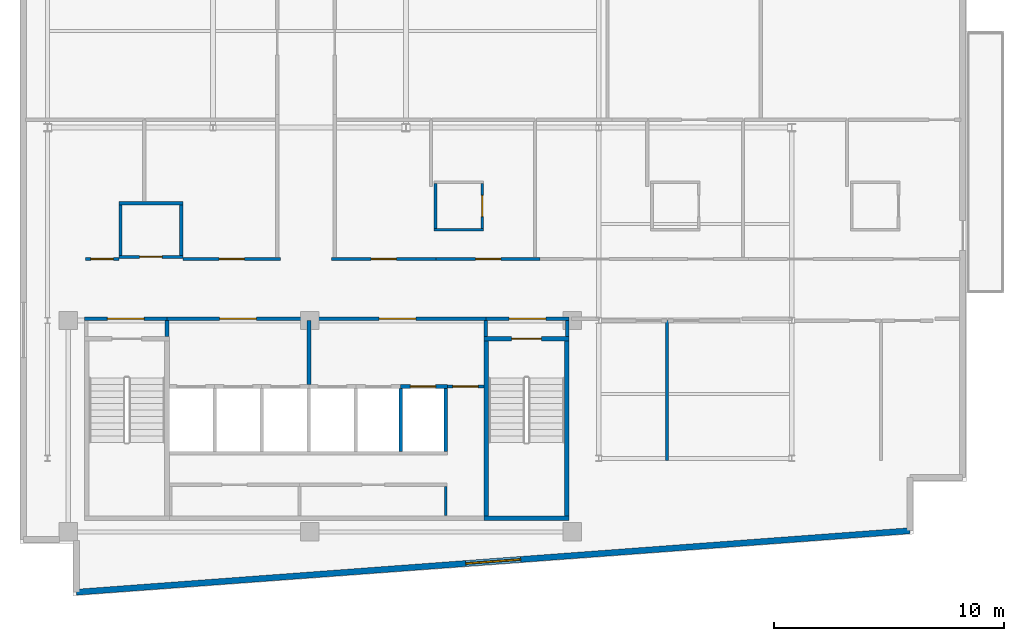
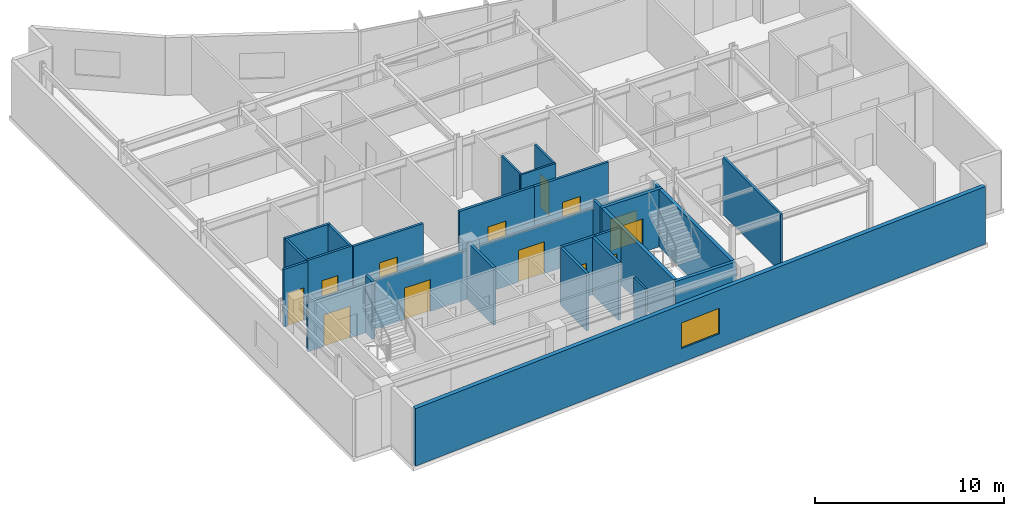
# One storey, part 10 of 15: 30 walls, 13 doors, 1 window, 14 openings.
"""IFC4 building model written with IfcOpenShell, lengths in metres."""

from ifc_helpers import new_model, si_unit, direction, frame, frame_2d, origin, place, context, subcontext, project, spatial, rectangle, extrude, material, layer, layer_set, type_object, element, fill, save


model = new_model("IFC4")

# Units and contexts
model_context = context("Model", 3, precision=1e-05, world=origin(), true_north=direction((0.0, 1.0)))
body_context = subcontext(model_context, "Body", "Model", "MODEL_VIEW")
ifc_project = project(units=[si_unit("LENGTHUNIT", "METRE"), si_unit("AREAUNIT", "SQUARE_METRE"), si_unit("VOLUMEUNIT", "CUBIC_METRE"), si_unit("PLANEANGLEUNIT", "RADIAN"), si_unit("MASSUNIT", "GRAM", prefix="KILO")], contexts=[model_context])

# Site, building, storey
site_placement = place(None, origin())
site = spatial("IfcSite", under=ifc_project, at=site_placement, CompositionType="ELEMENT")
building_placement = place(site_placement, origin())
building = spatial("IfcBuilding", under=site, at=building_placement, Name="Varnakote Quay Hospital", CompositionType="ELEMENT")
storey_placement = place(building_placement, frame((0.0, 0.0, 276.300048828125)))
storey = spatial("IfcBuildingStorey", under=building, at=storey_placement, Name="L68", CompositionType="ELEMENT", Elevation=276.300048828125)

# Wall, opening, door
ifc_material_1 = material(Name="Fire-rated acoustic gypsum stud wall", Category="gypsum")
ifc_layer_1 = layer(ifc_material_1, 0.159912109375)
ifc_layer_set_1 = layer_set([ifc_layer_1], Name="Fire-rated acoustic gypsum stud wall")
wall_type_1 = type_object("IfcWallType", Name="WL-COMP-160", PredefinedType="PARTITIONING", material=ifc_layer_set_1)
wall_1_placement = place(storey_placement, frame((2.800048828125, 12.080078125, 0.0), z_axis=(0.0, 0.0, 1.0), x_axis=(1.0, 0.0, 0.0)))
wall_1 = element("IfcWall", 1, at=wall_1_placement, inside=storey, type_object=wall_type_1, Name="L68 West Stair Vestibule Smoke Wall", PredefinedType="PARTITIONING", context=body_context, shape_type="SweptSolid", body=[
    extrude(rectangle(XDim=3.599853515625, YDim=0.159912109375, at=frame_2d((1.7998046875, 0.0))), origin(), (0.0, 0.0, 1.0), 3.156982421875),
])
opening_1_placement = place(wall_1_placement, frame((1.0, 0.0, 0.0)))
opening_1 = element("IfcOpeningElement", 2, at=opening_1_placement, cuts=wall_1, Name="Opening D-ST1L-L68", PredefinedType="OPENING", context=body_context, shape_type="SweptSolid", body=[
    extrude(rectangle(XDim=1.60009765625, YDim=2.050048828125, at=frame_2d((0.800048828125, 1.02490234375))), frame((0.0, 0.08984375, 0.0), z_axis=(0.0, -1.0, 0.0), x_axis=(1.0, 0.0, 0.0)), (0.0, 0.0, 1.0), 0.179931640625),
])
ifc_material_2 = material(Name="Fire-rated double smoke lobby door")
door_type_1 = type_object("IfcDoorType", Name="DR-LOBBY-FD60S-1600x2150", OperationType="NOTDEFINED", PredefinedType="DOOR", material=ifc_material_2)
door_1_placement = place(opening_1_placement, origin())
door_1 = element("IfcDoor", 3, at=door_1_placement, inside=storey, type_object=door_type_1, Name="L68 West Stair Vestibule Smoke Door", OperationType="DOUBLE_DOOR_SINGLE_SWING", OverallHeight=2.050048828125, OverallWidth=1.60009765625, PredefinedType="DOOR", context=body_context, shape_type="SweptSolid", body=[
    extrude(rectangle(XDim=1.60009765625, YDim=2.050048828125, at=frame_2d((0.800048828125, 1.02490234375))), frame((0.0, 0.02490234375, 0.0), z_axis=(0.0, -1.0, 0.0), x_axis=(1.0, 0.0, 0.0)), (0.0, 0.0, 1.0), 0.050048828125),
])
fill(opening_1, door_1)

# Wall
wall_2_placement = place(storey_placement, frame((6.39990234375, 11.300048828125, 0.0), z_axis=(0.0, 0.0, 1.0), x_axis=(0.0, 1.0, 0.0)))
element("IfcWall", 4, at=wall_2_placement, inside=storey, type_object=wall_type_1, Name="L68 Firefighting Lobby West Wall", PredefinedType="PARTITIONING", context=body_context, shape_type="SweptSolid", body=[
    extrude(rectangle(XDim=0.699951171875, YDim=0.159912109375, at=frame_2d((0.35009765625, 0.0))), origin(), (0.0, 0.0, 1.0), 3.7099609375),
])

# Wall, opening, door
wall_3_placement = place(storey_placement, frame((6.39990234375, 12.080078125, 0.0), z_axis=(0.0, 0.0, 1.0), x_axis=(1.0, 0.0, 0.0)))
wall_3 = element("IfcWall", 5, at=wall_3_placement, inside=storey, type_object=wall_type_1, Name="L68 Firefighting Lift Lobby Compartment Wall", PredefinedType="PARTITIONING", context=body_context, shape_type="SweptSolid", body=[
    extrude(rectangle(XDim=6.18017578125, YDim=0.159912109375, at=frame_2d((3.090087890625, 0.0))), origin(), (0.0, 0.0, 1.0), 3.156982421875),
])
opening_2_placement = place(wall_3_placement, frame((2.2900390625, 0.0, 0.0)))
opening_2 = element("IfcOpeningElement", 6, at=opening_2_placement, cuts=wall_3, Name="Opening D-FFL-L68", PredefinedType="OPENING", context=body_context, shape_type="SweptSolid", body=[
    extrude(rectangle(XDim=1.60009765625, YDim=2.050048828125, at=frame_2d((0.800048828125, 1.02490234375))), frame((0.0, 0.08984375, 0.0), z_axis=(0.0, -1.0, 0.0), x_axis=(1.0, 0.0, 0.0)), (0.0, 0.0, 1.0), 0.179931640625),
])
door_2_placement = place(opening_2_placement, origin())
door_2 = element("IfcDoor", 7, at=door_2_placement, inside=storey, type_object=door_type_1, Name="L68 Firefighting Smoke Vestibule Door", OperationType="DOUBLE_DOOR_SINGLE_SWING", OverallHeight=2.050048828125, OverallWidth=1.60009765625, PredefinedType="DOOR", context=body_context, shape_type="SweptSolid", body=[
    extrude(rectangle(XDim=1.60009765625, YDim=2.050048828125, at=frame_2d((0.800048828125, 1.02490234375))), frame((0.0, 0.02490234375, 0.0), z_axis=(0.0, -1.0, 0.0), x_axis=(1.0, 0.0, 0.0)), (0.0, 0.0, 1.0), 0.050048828125),
])
fill(opening_2, door_2)

# Wall
wall_4_placement = place(storey_placement, frame((12.580078125, 9.2099609375, 0.0), z_axis=(0.0, 0.0, 1.0), x_axis=(0.0, 1.0, 0.0)))
element("IfcWall", 8, at=wall_4_placement, inside=storey, type_object=wall_type_1, Name="L68 Firefighting to Service Lobby Wall", PredefinedType="PARTITIONING", context=body_context, shape_type="SweptSolid", body=[
    extrude(rectangle(XDim=2.7900390625, YDim=0.159912109375, at=frame_2d((1.39501953125, 0.0))), origin(), (0.0, 0.0, 1.0), 3.7099609375),
])

# Wall, opening, door
wall_5_placement = place(storey_placement, frame((12.580078125, 12.080078125, 0.0), z_axis=(0.0, 0.0, 1.0), x_axis=(1.0, 0.0, 0.0)))
wall_5 = element("IfcWall", 9, at=wall_5_placement, inside=storey, type_object=wall_type_1, Name="L68 Clinical Bed Lift Lobby Wall", PredefinedType="PARTITIONING", context=body_context, shape_type="SweptSolid", body=[
    extrude(rectangle(XDim=7.699951171875, YDim=0.159912109375, at=frame_2d((3.85009765625, 0.0))), origin(), (0.0, 0.0, 1.0), 3.156982421875),
])
opening_3_placement = place(wall_5_placement, frame((3.050048828125, 0.0, 0.0)))
opening_3 = element("IfcOpeningElement", 10, at=opening_3_placement, cuts=wall_5, Name="Opening D-SVL-L68", PredefinedType="OPENING", context=body_context, shape_type="SweptSolid", body=[
    extrude(rectangle(XDim=1.60009765625, YDim=2.050048828125, at=frame_2d((0.800048828125, 1.02490234375))), frame((0.0, 0.08984375, 0.0), z_axis=(0.0, -1.0, 0.0), x_axis=(1.0, 0.0, 0.0)), (0.0, 0.0, 1.0), 0.179931640625),
])
door_3_placement = place(opening_3_placement, origin())
door_3 = element("IfcDoor", 11, at=door_3_placement, inside=storey, type_object=door_type_1, Name="L68 Clinical Core Smoke Vestibule Door", OperationType="DOUBLE_DOOR_SINGLE_SWING", OverallHeight=2.050048828125, OverallWidth=1.60009765625, PredefinedType="DOOR", context=body_context, shape_type="SweptSolid", body=[
    extrude(rectangle(XDim=1.60009765625, YDim=2.050048828125, at=frame_2d((0.800048828125, 1.02490234375))), frame((0.0, 0.02490234375, 0.0), z_axis=(0.0, -1.0, 0.0), x_axis=(1.0, 0.0, 0.0)), (0.0, 0.0, 1.0), 0.050048828125),
])
fill(opening_3, door_3)

# Wall
wall_6_placement = place(storey_placement, frame((20.280029296875, 11.300048828125, 0.0), z_axis=(0.0, 0.0, 1.0), x_axis=(0.0, 1.0, 0.0)))
element("IfcWall", 12, at=wall_6_placement, inside=storey, type_object=wall_type_1, Name="L68 East Stair Vestibule Divider Wall", PredefinedType="PARTITIONING", context=body_context, shape_type="SweptSolid", body=[
    extrude(rectangle(XDim=0.699951171875, YDim=0.159912109375, at=frame_2d((0.35009765625, 0.0))), origin(), (0.0, 0.0, 1.0), 3.7099609375),
])

# Wall, opening, door
wall_7_placement = place(storey_placement, frame((20.280029296875, 12.080078125, 0.0), z_axis=(0.0, 0.0, 1.0), x_axis=(1.0, 0.0, 0.0)))
wall_7 = element("IfcWall", 13, at=wall_7_placement, inside=storey, type_object=wall_type_1, Name="L68 East Stair Vestibule Smoke Wall", PredefinedType="PARTITIONING", context=body_context, shape_type="SweptSolid", body=[
    extrude(rectangle(XDim=3.619873046875, YDim=0.159912109375, at=frame_2d((1.81005859375, 0.0))), origin(), (0.0, 0.0, 1.0), 3.156982421875),
])
opening_4_placement = place(wall_7_placement, frame((1.010009765625, 0.0, 0.0)))
opening_4 = element("IfcOpeningElement", 14, at=opening_4_placement, cuts=wall_7, Name="Opening D-ST2L-L68", PredefinedType="OPENING", context=body_context, shape_type="SweptSolid", body=[
    extrude(rectangle(XDim=1.60009765625, YDim=2.050048828125, at=frame_2d((0.800048828125, 1.02490234375))), frame((0.0, 0.08984375, 0.0), z_axis=(0.0, -1.0, 0.0), x_axis=(1.0, 0.0, 0.0)), (0.0, 0.0, 1.0), 0.179931640625),
])
door_4_placement = place(opening_4_placement, origin())
door_4 = element("IfcDoor", 15, at=door_4_placement, inside=storey, type_object=door_type_1, Name="L68 East Stair Vestibule Smoke Door", OperationType="DOUBLE_DOOR_SINGLE_SWING", OverallHeight=2.050048828125, OverallWidth=1.60009765625, PredefinedType="DOOR", context=body_context, shape_type="SweptSolid", body=[
    extrude(rectangle(XDim=1.60009765625, YDim=2.050048828125, at=frame_2d((0.800048828125, 1.02490234375))), frame((0.0, 0.02490234375, 0.0), z_axis=(0.0, -1.0, 0.0), x_axis=(1.0, 0.0, 0.0)), (0.0, 0.0, 1.0), 0.050048828125),
])
fill(opening_4, door_4)

# Walls
wall_8_placement = place(storey_placement, frame((23.820068359375, 11.300048828125, 0.0), z_axis=(0.0, 0.0, 1.0), x_axis=(0.0, 1.0, 0.0)))
element("IfcWall", 16, at=wall_8_placement, inside=storey, type_object=wall_type_1, Name="L68 East Stair Vestibule East Wall", PredefinedType="PARTITIONING", context=body_context, shape_type="SweptSolid", body=[
    extrude(rectangle(XDim=0.699951171875, YDim=0.159912109375, at=frame_2d((0.35009765625, 0.0))), origin(), (0.0, 0.0, 1.0), 3.7099609375),
])
ifc_material_3 = material(Name="Moisture-resistant bathroom partition", Category="gypsum")
ifc_layer_2 = layer(ifc_material_3, 0.114990234375)
ifc_layer_set_2 = layer_set([ifc_layer_2], Name="Moisture-resistant bathroom partition")
wall_type_2 = type_object("IfcWallType", Name="WL-ENS-115", PredefinedType="PARTITIONING", material=ifc_layer_set_2)
wall_9_placement = place(storey_placement, frame((18.034912109375, 15.952392578125, 0.0), z_axis=(0.0, 0.0, 1.0), x_axis=(1.0, 0.0, 0.0)))
element("IfcWall", 17, at=wall_9_placement, inside=storey, type_object=wall_type_2, Name="L68 Inpatient En-Suite Bathroom 01 S Wall", PredefinedType="PARTITIONING", context=body_context, shape_type="SweptSolid", body=[
    extrude(rectangle(XDim=2.150146484375, YDim=0.114990234375, at=frame_2d((1.0751953125, 0.0))), origin(), (0.0, 0.0, 1.0), 3.7099609375),
])
wall_10_placement = place(storey_placement, frame((18.092529296875, 16.010009765625, 0.0), z_axis=(0.0, 0.0, 1.0), x_axis=(0.0, 1.0, 0.0)))
element("IfcWall", 18, at=wall_10_placement, inside=storey, type_object=wall_type_2, Name="L68 Inpatient En-Suite Bathroom 01 W Wall", PredefinedType="PARTITIONING", context=body_context, shape_type="SweptSolid", body=[
    extrude(rectangle(XDim=1.949951171875, YDim=0.114990234375, at=frame_2d((0.97509765625, 0.0))), origin(), (0.0, 0.0, 1.0), 3.7099609375),
])

# Wall, opening, door
wall_11_placement = place(storey_placement, frame((20.12744140625, 16.010009765625, 0.0), z_axis=(0.0, 0.0, 1.0), x_axis=(0.0, 1.0, 0.0)))
wall_11 = element("IfcWall", 19, at=wall_11_placement, inside=storey, type_object=wall_type_2, Name="L68 Inpatient En-Suite Bathroom 01 E Wall", PredefinedType="PARTITIONING", context=body_context, shape_type="SweptSolid", body=[
    extrude(rectangle(XDim=1.949951171875, YDim=0.114990234375, at=frame_2d((0.97509765625, 0.0))), origin(), (0.0, 0.0, 1.0), 3.7099609375),
])
opening_5_placement = place(wall_11_placement, frame((0.514892578125, 0.0, 0.0)))
opening_5 = element("IfcOpeningElement", 20, at=opening_5_placement, cuts=wall_11, Name="Opening D-L68-ENS01", PredefinedType="OPENING", context=body_context, shape_type="SweptSolid", body=[
    extrude(rectangle(XDim=0.919921875, YDim=2.10009765625, at=frame_2d((0.4599609375, 1.050048828125))), frame((0.0, 0.0673828125, 0.0), z_axis=(0.0, -1.0, 0.0), x_axis=(1.0, 0.0, 0.0)), (0.0, 0.0, 1.0), 0.135009765625),
])
ifc_material_4 = material(Name="Moisture-sealed en-suite bathroom door")
door_type_2 = type_object("IfcDoorType", Name="DR-ENS-920x2100", OperationType="NOTDEFINED", PredefinedType="DOOR", material=ifc_material_4)
door_5_placement = place(opening_5_placement, origin())
door_5 = element("IfcDoor", 21, at=door_5_placement, inside=storey, type_object=door_type_2, Name="L68 Inpatient En-Suite Bathroom 01 Door", OperationType="SINGLE_SWING_LEFT", OverallHeight=2.10009765625, OverallWidth=0.919921875, PredefinedType="DOOR", context=body_context, shape_type="SweptSolid", body=[
    extrude(rectangle(XDim=0.919921875, YDim=2.10009765625, at=frame_2d((0.4599609375, 1.050048828125))), frame((0.0, 0.02490234375, 0.0), z_axis=(0.0, -1.0, 0.0), x_axis=(1.0, 0.0, 0.0)), (0.0, 0.0, 1.0), 0.050048828125),
])
fill(opening_5, door_5)

# Wall, opening, window
ifc_material_5 = material(Name="Precast concrete N50 (f'c 50 MPa)", Category="concrete")
ifc_layer_3 = layer(ifc_material_5, 0.260009765625)
ifc_layer_set_3 = layer_set([ifc_layer_3], Name="Precast concrete N50 (f'c 50 MPa)")
wall_type_3 = type_object("IfcWallType", Name="WL-EXT-BRICK-260", PredefinedType="STANDARD", material=ifc_layer_set_3)
wall_12_placement = place(storey_placement, frame((2.4599609375, 0.172119140625, 0.0), z_axis=(0.0, 0.0, 1.0), x_axis=(0.997289775118, 0.073573802713, 0.0)))
wall_12 = element("IfcWall", 22, at=wall_12_placement, inside=storey, type_object=wall_type_3, Name="L68 Brick-Faced Precast Exterior Wall", PredefinedType="STANDARD", context=body_context, shape_type="SweptSolid", body=[
    extrude(rectangle(XDim=36.378662109375, YDim=0.260009765625, at=frame_2d((18.189453125, 0.0))), origin(), (0.0, 0.0, 1.0), 3.7099609375),
])
opening_6_placement = place(wall_12_placement, frame((16.9892578125, 0.0, 0.89990234375)))
opening_6 = element("IfcOpeningElement", 23, at=opening_6_placement, cuts=wall_12, Name="Opening WN-0274", PredefinedType="OPENING", context=body_context, shape_type="SweptSolid", body=[
    extrude(rectangle(XDim=2.39990234375, YDim=1.64990234375, at=frame_2d((1.199951171875, 0.824951171875))), frame((0.0, 0.139892578125, 0.0), z_axis=(0.0, -1.0, 0.0), x_axis=(1.0, 0.0, 0.0)), (0.0, 0.0, 1.0), 0.280029296875),
])
ifc_material_6 = material(Name="Double-glazed low-E solar glass", Category="glass")
window_type = type_object("IfcWindowType", Name="WIN-CLIN-2400x1650", PartitioningType="SINGLE_PANEL", PredefinedType="WINDOW", material=ifc_material_6)
window_placement = place(opening_6_placement, origin())
window = element("IfcWindow", 24, at=window_placement, inside=storey, type_object=window_type, Name="L68 Solar-Control Clinical Window", OverallHeight=1.64990234375, OverallWidth=2.39990234375, PartitioningType="SINGLE_PANEL", PredefinedType="WINDOW", context=body_context, shape_type="SweptSolid", body=[
    extrude(rectangle(XDim=2.39990234375, YDim=1.64990234375, at=frame_2d((1.199951171875, 0.824951171875))), frame((0.0, 0.030029296875, 0.0), z_axis=(0.0, -1.0, 0.0), x_axis=(1.0, 0.0, 0.0)), (0.0, 0.0, 1.0), 0.06005859375),
])
fill(opening_6, window)

# Walls
ifc_material_7 = material(Name="Concrete N50 (f'c 50 MPa)", Category="concrete")
ifc_layer_4 = layer(ifc_material_7, 0.14990234375)
ifc_layer_set_4 = layer_set([ifc_layer_4], Name="Concrete N50 (f'c 50 MPa)")
wall_type_4 = type_object("IfcWallType", Name="WL-SHAFT-N50-150", PredefinedType="SHEAR", material=ifc_layer_set_4)
wall_13_placement = place(storey_placement, frame((16.574951171875, 6.300048828125, 0.0), z_axis=(0.0, 0.0, 1.0), x_axis=(0.0, 1.0, 0.0)))
element("IfcWall", 25, at=wall_13_placement, inside=storey, type_object=wall_type_4, Name="L68 LF-PH1 Hoistway Divider Wall", PredefinedType="SHEAR", context=body_context, shape_type="SweptSolid", body=[
    extrude(rectangle(XDim=2.75, YDim=0.14990234375, at=frame_2d((1.375, 0.0))), origin(), (0.0, 0.0, 1.0), 3.7099609375),
])
ifc_material_8 = material(Name="Concrete N50 (f'c 50 MPa)", Category="concrete")
ifc_layer_5 = layer(ifc_material_8, 0.159912109375)
ifc_layer_set_5 = layer_set([ifc_layer_5], Name="Concrete N50 (f'c 50 MPa)")
wall_type_5 = type_object("IfcWallType", Name="WL-SHAFT-N50-160", PredefinedType="SHEAR", material=ifc_layer_set_5)
wall_14_placement = place(storey_placement, frame((18.530029296875, 6.300048828125, 0.0), z_axis=(0.0, 0.0, 1.0), x_axis=(0.0, 1.0, 0.0)))
element("IfcWall", 26, at=wall_14_placement, inside=storey, type_object=wall_type_5, Name="L68 REAR Lift Bank East Shear Wall", PredefinedType="SHEAR", context=body_context, shape_type="SweptSolid", body=[
    extrude(rectangle(XDim=2.75, YDim=0.159912109375, at=frame_2d((1.375, 0.0))), origin(), (0.0, 0.0, 1.0), 3.7099609375),
])

# Wall, opening, door
wall_15_placement = place(storey_placement, frame((16.574951171875, 9.1298828125, 0.0), z_axis=(0.0, 0.0, 1.0), x_axis=(1.0, 0.0, 0.0)))
wall_15 = element("IfcWall", 27, at=wall_15_placement, inside=storey, type_object=wall_type_5, Name="L68 LF-PH2 Hoistway Front Wall", PredefinedType="SHEAR", context=body_context, shape_type="SweptSolid", body=[
    extrude(rectangle(XDim=2.03515625, YDim=0.159912109375, at=frame_2d((1.017578125, 0.0))), origin(), (0.0, 0.0, 1.0), 3.7099609375),
])
opening_7_placement = place(wall_15_placement, frame((0.425048828125, 0.0, 0.0)))
opening_7 = element("IfcOpeningElement", 28, at=opening_7_placement, cuts=wall_15, Name="Opening LD-PH2-L68", PredefinedType="OPENING", context=body_context, shape_type="SweptSolid", body=[
    extrude(rectangle(XDim=1.10009765625, YDim=2.14990234375, at=frame_2d((0.550048828125, 1.074951171875))), frame((0.0, 0.08984375, 0.0), z_axis=(0.0, -1.0, 0.0), x_axis=(1.0, 0.0, 0.0)), (0.0, 0.0, 1.0), 0.179931640625),
])
ifc_material_9 = material(Name="Brushed bronze lift landing sliding door")
door_type_3 = type_object("IfcDoorType", Name="DR-LIFT-LD-1100x2150", OperationType="NOTDEFINED", PredefinedType="DOOR", material=ifc_material_9)
door_6_placement = place(opening_7_placement, origin())
door_6 = element("IfcDoor", 29, at=door_6_placement, inside=storey, type_object=door_type_3, Name="L68 LF-PH2 Lift Landing Sliding Door", OperationType="SLIDING_TO_LEFT", OverallHeight=2.14990234375, OverallWidth=1.10009765625, PredefinedType="DOOR", context=body_context, shape_type="SweptSolid", body=[
    extrude(rectangle(XDim=1.10009765625, YDim=2.14990234375, at=frame_2d((0.550048828125, 1.074951171875))), frame((0.0, 0.02490234375, 0.0), z_axis=(0.0, -1.0, 0.0), x_axis=(1.0, 0.0, 0.0)), (0.0, 0.0, 1.0), 0.050048828125),
])
fill(opening_7, door_6)

# Walls
ifc_material_10 = material(Name="Concrete N50 (f'c 50 MPa)", Category="concrete")
ifc_layer_6 = layer(ifc_material_10, 0.199951171875)
ifc_layer_set_6 = layer_set([ifc_layer_6], Name="Concrete N50 (f'c 50 MPa)")
wall_type_6 = type_object("IfcWallType", Name="WL-SHAFT-N50-200", PredefinedType="SHEAR", material=ifc_layer_set_6)
wall_16_placement = place(storey_placement, frame((20.199951171875, 3.39990234375, 0.0), z_axis=(0.0, 0.0, 1.0), x_axis=(1.0, 0.0, 0.0)))
element("IfcWall", 30, at=wall_16_placement, inside=storey, type_object=wall_type_6, Name="L68 Stair ST2 South Shaft Wall", PredefinedType="SHEAR", context=body_context, shape_type="SweptSolid", body=[
    extrude(rectangle(XDim=3.699951171875, YDim=0.199951171875, at=frame_2d((1.85009765625, 0.0))), origin(), (0.0, 0.0, 1.0), 3.7099609375),
])
for number, where, z_axis, x_axis, name in (
    (31, (20.300048828125, 3.5, 0.0), (0.0, 0.0, 1.0), (0.0, 1.0, 0.0), "L68 Stair ST2 West Shaft Wall"),
    (32, (23.800048828125, 3.5, 0.0), (0.0, 0.0, 1.0), (0.0, 1.0, 0.0), "L68 Stair ST2 East Shaft Wall"),
):
    element("IfcWall", number, at=place(storey_placement, frame(where, z_axis=z_axis, x_axis=x_axis)), inside=storey, type_object=wall_type_6, Name=name, PredefinedType="SHEAR", context=body_context, shape_type="SweptSolid", body=[
        extrude(rectangle(XDim=7.60009765625, YDim=0.199951171875, at=frame_2d((3.800048828125, 0.0))), origin(), (0.0, 0.0, 1.0), 3.7099609375),
    ])

# Wall, opening, door
wall_17_placement = place(storey_placement, frame((20.199951171875, 11.199951171875, 0.0), z_axis=(0.0, 0.0, 1.0), x_axis=(1.0, 0.0, 0.0)))
wall_17 = element("IfcWall", 33, at=wall_17_placement, inside=storey, type_object=wall_type_6, Name="L68 Stair ST2 Exit Wall", PredefinedType="SHEAR", context=body_context, shape_type="SweptSolid", body=[
    extrude(rectangle(XDim=3.699951171875, YDim=0.199951171875, at=frame_2d((1.85009765625, 0.0))), origin(), (0.0, 0.0, 1.0), 3.7099609375),
])
opening_8_placement = place(wall_17_placement, frame((1.199951171875, 0.0, 0.0)))
opening_8 = element("IfcOpeningElement", 34, at=opening_8_placement, cuts=wall_17, Name="Opening D-ST2-L68", PredefinedType="OPENING", context=body_context, shape_type="SweptSolid", body=[
    extrude(rectangle(XDim=1.300048828125, YDim=2.14990234375, at=frame_2d((0.64990234375, 1.074951171875))), frame((0.0, 0.10986328125, 0.0), z_axis=(0.0, -1.0, 0.0), x_axis=(1.0, 0.0, 0.0)), (0.0, 0.0, 1.0), 0.219970703125),
])
ifc_material_11 = material(Name="Fire-rated ceramic-glazed timber exit door", Category="wood")
door_type_4 = type_object("IfcDoorType", Name="DR-STAIR-FD60S-1300x2150", OperationType="NOTDEFINED", PredefinedType="DOOR", material=ifc_material_11)
door_7_placement = place(opening_8_placement, origin())
door_7 = element("IfcDoor", 35, at=door_7_placement, inside=storey, type_object=door_type_4, Name="L68 Stair ST2 Fire Exit Door", OperationType="SINGLE_SWING_RIGHT", OverallHeight=2.14990234375, OverallWidth=1.300048828125, PredefinedType="DOOR", context=body_context, shape_type="SweptSolid", body=[
    extrude(rectangle(XDim=1.300048828125, YDim=2.14990234375, at=frame_2d((0.64990234375, 1.074951171875))), frame((0.0, 0.02490234375, 0.0), z_axis=(0.0, -1.0, 0.0), x_axis=(1.0, 0.0, 0.0)), (0.0, 0.0, 1.0), 0.050048828125),
])
fill(opening_8, door_7)

# Walls
ifc_material_12 = material(Name="Smoke-proof clinical partition", Category="gypsum")
ifc_layer_7 = layer(ifc_material_12, 0.1201171875)
ifc_layer_set_7 = layer_set([ifc_layer_7], Name="Smoke-proof clinical partition")
wall_type_7 = type_object("IfcWallType", Name="WL-SMOKE-120", PredefinedType="PARTITIONING", material=ifc_layer_set_7)
wall_18_placement = place(storey_placement, frame((18.5400390625, 3.52001953125, 0.0), z_axis=(0.0, 0.0, 1.0), x_axis=(0.0, 1.0, 0.0)))
element("IfcWall", 36, at=wall_18_placement, inside=storey, type_object=wall_type_7, Name="L68 Core South Service East Wall", PredefinedType="PARTITIONING", context=body_context, shape_type="SweptSolid", body=[
    extrude(rectangle(XDim=1.260009765625, YDim=0.1201171875, at=frame_2d((0.6298828125, 0.0))), origin(), (0.0, 0.0, 1.0), 3.7099609375),
])
ifc_material_13 = material(Name="Smoke-proof clinical partition", Category="gypsum")
ifc_layer_8 = layer(ifc_material_13, 0.135009765625)
ifc_layer_set_8 = layer_set([ifc_layer_8], Name="Smoke-proof clinical partition")
wall_type_8 = type_object("IfcWallType", Name="WL-SMOKE-135", PredefinedType="PARTITIONING", material=ifc_layer_set_8)
wall_19_placement = place(storey_placement, frame((28.159912109375, 5.89990234375, 0.0), z_axis=(0.0, 0.0, 1.0), x_axis=(0.0, 1.0, 0.0)))
element("IfcWall", 37, at=wall_19_placement, inside=storey, type_object=wall_type_8, Name="L68 Clinical Interior Partition", PredefinedType="PARTITIONING", context=body_context, shape_type="SweptSolid", body=[
    extrude(rectangle(XDim=6.10009765625, YDim=0.135009765625, at=frame_2d((3.050048828125, 0.0))), origin(), (0.0, 0.0, 1.0), 3.7099609375),
])

# Wall, opening, door
ifc_material_14 = material(Name="Fire-rated clinical gypsum partition", Category="gypsum")
ifc_layer_9 = layer(ifc_material_14, 0.139892578125)
ifc_layer_set_9 = layer_set([ifc_layer_9], Name="Fire-rated clinical gypsum partition")
wall_type_9 = type_object("IfcWallType", Name="WL-WARD-140", PredefinedType="PARTITIONING", material=ifc_layer_set_9)
wall_20_placement = place(storey_placement, frame((18.610107421875, 9.1298828125, 0.0), z_axis=(0.0, 0.0, 1.0), x_axis=(1.0, 0.0, 0.0)))
wall_20 = element("IfcWall", 38, at=wall_20_placement, inside=storey, type_object=wall_type_9, Name="L68 Core Service Corridor North Door Wall", PredefinedType="PARTITIONING", context=body_context, shape_type="SweptSolid", body=[
    extrude(rectangle(XDim=1.58984375, YDim=0.139892578125, at=frame_2d((0.794921875, 0.0))), origin(), (0.0, 0.0, 1.0), 3.7099609375),
])
opening_9_placement = place(wall_20_placement, frame((0.239990234375, 0.0, 0.0)))
opening_9 = element("IfcOpeningElement", 39, at=opening_9_placement, cuts=wall_20, Name="Opening D-CSRV-L68", PredefinedType="OPENING", context=body_context, shape_type="SweptSolid", body=[
    extrude(rectangle(XDim=1.10009765625, YDim=2.10009765625, at=frame_2d((0.550048828125, 1.050048828125))), frame((0.0, 0.079833984375, 0.0), z_axis=(0.0, -1.0, 0.0), x_axis=(1.0, 0.0, 0.0)), (0.0, 0.0, 1.0), 0.159912109375),
])
ifc_material_15 = material(Name="Acoustic timber clinical consult door", Category="wood")
door_type_5 = type_object("IfcDoorType", Name="DR-CLIN-FD30S-1100x2100", OperationType="NOTDEFINED", PredefinedType="DOOR", material=ifc_material_15)
door_8_placement = place(opening_9_placement, origin())
door_8 = element("IfcDoor", 40, at=door_8_placement, inside=storey, type_object=door_type_5, Name="L68 Core Service Corridor Door", OperationType="SINGLE_SWING_LEFT", OverallHeight=2.10009765625, OverallWidth=1.10009765625, PredefinedType="DOOR", context=body_context, shape_type="SweptSolid", body=[
    extrude(rectangle(XDim=1.10009765625, YDim=2.10009765625, at=frame_2d((0.550048828125, 1.050048828125))), frame((0.0, 0.02490234375, 0.0), z_axis=(0.0, -1.0, 0.0), x_axis=(1.0, 0.0, 0.0)), (0.0, 0.0, 1.0), 0.050048828125),
])
fill(opening_9, door_8)

wall_21_placement = place(storey_placement, frame((4.31005859375, 14.77001953125, 0.0), z_axis=(0.0, 0.0, 1.0), x_axis=(1.0, 0.0, 0.0)))
wall_21 = element("IfcWall", 41, at=wall_21_placement, inside=storey, type_object=wall_type_9, Name="L68 Floor Unisex Accessible WC S Wall", PredefinedType="PARTITIONING", context=body_context, shape_type="SweptSolid", body=[
    extrude(rectangle(XDim=2.780029296875, YDim=0.139892578125, at=frame_2d((1.39013671875, 0.0))), origin(), (0.0, 0.0, 1.0), 3.7099609375),
])
opening_10_placement = place(wall_21_placement, frame((0.89990234375, 0.0, 0.0)))
opening_10 = element("IfcOpeningElement", 42, at=opening_10_placement, cuts=wall_21, Name="Opening D-L68-EW01", PredefinedType="OPENING", context=body_context, shape_type="SweptSolid", body=[
    extrude(rectangle(XDim=0.97998046875, YDim=2.10009765625, at=frame_2d((0.489990234375, 1.050048828125))), frame((0.0, 0.079833984375, 0.0), z_axis=(0.0, -1.0, 0.0), x_axis=(1.0, 0.0, 0.0)), (0.0, 0.0, 1.0), 0.159912109375),
])
ifc_material_16 = material(Name="Accessible sanitary compartment door")
door_type_6 = type_object("IfcDoorType", Name="DR-WC-980x2100", OperationType="NOTDEFINED", PredefinedType="DOOR", material=ifc_material_16)
door_9_placement = place(opening_10_placement, origin())
door_9 = element("IfcDoor", 43, at=door_9_placement, inside=storey, type_object=door_type_6, Name="L68 Floor Unisex Accessible WC Door", OperationType="SINGLE_SWING_RIGHT", OverallHeight=2.10009765625, OverallWidth=0.97998046875, PredefinedType="DOOR", context=body_context, shape_type="SweptSolid", body=[
    extrude(rectangle(XDim=0.97998046875, YDim=2.10009765625, at=frame_2d((0.489990234375, 1.050048828125))), frame((0.0, 0.02490234375, 0.0), z_axis=(0.0, -1.0, 0.0), x_axis=(1.0, 0.0, 0.0)), (0.0, 0.0, 1.0), 0.050048828125),
])
fill(opening_10, door_9)

# Walls
wall_22_placement = place(storey_placement, frame((4.31005859375, 17.110107421875, 0.0), z_axis=(0.0, 0.0, 1.0), x_axis=(1.0, 0.0, 0.0)))
element("IfcWall", 44, at=wall_22_placement, inside=storey, type_object=wall_type_9, Name="L68 Floor Unisex Accessible WC N Wall", PredefinedType="PARTITIONING", context=body_context, shape_type="SweptSolid", body=[
    extrude(rectangle(XDim=2.780029296875, YDim=0.139892578125, at=frame_2d((1.39013671875, 0.0))), origin(), (0.0, 0.0, 1.0), 3.7099609375),
])
for number, where, z_axis, x_axis, name in (
    (45, (4.3798828125, 14.840087890625, 0.0), (0.0, 0.0, 1.0), (0.0, 1.0, 0.0), "L68 Floor Unisex Accessible WC W Wall"),
    (46, (7.02001953125, 14.840087890625, 0.0), (0.0, 0.0, 1.0), (0.0, 1.0, 0.0), "L68 Floor Unisex Accessible WC E Wall"),
):
    element("IfcWall", number, at=place(storey_placement, frame(where, z_axis=z_axis, x_axis=x_axis)), inside=storey, type_object=wall_type_9, Name=name, PredefinedType="PARTITIONING", context=body_context, shape_type="SweptSolid", body=[
        extrude(rectangle(XDim=2.199951171875, YDim=0.139892578125, at=frame_2d((1.10009765625, 0.0))), origin(), (0.0, 0.0, 1.0), 3.7099609375),
    ])

# Wall, opening, door
ifc_material_17 = material(Name="Fire-rated clinical gypsum partition", Category="gypsum")
ifc_layer_10 = layer(ifc_material_17, 0.14990234375)
ifc_layer_set_10 = layer_set([ifc_layer_10], Name="Fire-rated clinical gypsum partition")
wall_type_10 = type_object("IfcWallType", Name="WL-WARD-150", PredefinedType="PARTITIONING", material=ifc_layer_set_10)
wall_23_placement = place(storey_placement, frame((4.30810546875, 14.679931640625, 0.0), z_axis=(0.0, 0.0, 1.0), x_axis=(-1.0, 0.0, 0.0)))
wall_23 = element("IfcWall", 47, at=wall_23_placement, inside=storey, type_object=wall_type_10, Name="L68 Clinical Interior Partition", PredefinedType="PARTITIONING", context=body_context, shape_type="SweptSolid", body=[
    extrude(rectangle(XDim=1.4580078125, YDim=0.14990234375, at=frame_2d((0.72900390625, 0.0))), origin(), (0.0, 0.0, 1.0), 3.7099609375),
])
opening_11_placement = place(wall_23_placement, frame((0.239013671875, 0.0, 0.0)))
opening_11 = element("IfcOpeningElement", 48, at=opening_11_placement, cuts=wall_23, Name="Opening D-L68-MD01", PredefinedType="OPENING", context=body_context, shape_type="SweptSolid", body=[
    extrude(rectangle(XDim=0.97998046875, YDim=2.10009765625, at=frame_2d((0.489990234375, 1.050048828125))), frame((0.0, 0.0849609375, 0.0), z_axis=(0.0, -1.0, 0.0), x_axis=(1.0, 0.0, 0.0)), (0.0, 0.0, 1.0), 0.169921875),
])
door_10_placement = place(opening_11_placement, origin())
door_10 = element("IfcDoor", 49, at=door_10_placement, inside=storey, type_object=door_type_6, Name="L68 Surgical Fellowship Teaching Room Door", OperationType="SINGLE_SWING_RIGHT", OverallHeight=2.10009765625, OverallWidth=0.97998046875, PredefinedType="DOOR", context=body_context, shape_type="SweptSolid", body=[
    extrude(rectangle(XDim=0.97998046875, YDim=2.10009765625, at=frame_2d((0.489990234375, 1.050048828125))), frame((0.0, 0.02490234375, 0.0), z_axis=(0.0, -1.0, 0.0), x_axis=(1.0, 0.0, 0.0)), (0.0, 0.0, 1.0), 0.050048828125),
])
fill(opening_11, door_10)

wall_24_placement = place(storey_placement, frame((11.345947265625, 14.679931640625, 0.0), z_axis=(0.0, 0.0, 1.0), x_axis=(-1.0, 0.0, 0.0)))
wall_24 = element("IfcWall", 50, at=wall_24_placement, inside=storey, type_object=wall_type_10, Name="L68 Clinical Interior Partition", PredefinedType="PARTITIONING", context=body_context, shape_type="SweptSolid", body=[
    extrude(rectangle(XDim=4.25390625, YDim=0.14990234375, at=frame_2d((2.126953125, 0.0))), origin(), (0.0, 0.0, 1.0), 3.7099609375),
])
opening_12_placement = place(wall_24_placement, frame((1.576904296875, 0.0, 0.0)))
opening_12 = element("IfcOpeningElement", 51, at=opening_12_placement, cuts=wall_24, Name="Opening D-L68-MD02", PredefinedType="OPENING", context=body_context, shape_type="SweptSolid", body=[
    extrude(rectangle(XDim=1.10009765625, YDim=2.10009765625, at=frame_2d((0.550048828125, 1.050048828125))), frame((0.0, 0.0849609375, 0.0), z_axis=(0.0, -1.0, 0.0), x_axis=(1.0, 0.0, 0.0)), (0.0, 0.0, 1.0), 0.169921875),
])
door_11_placement = place(opening_12_placement, origin())
door_11 = element("IfcDoor", 52, at=door_11_placement, inside=storey, type_object=door_type_5, Name="L68 Craniofacial Procedure Treatment Suite Door", OperationType="SINGLE_SWING_LEFT", OverallHeight=2.10009765625, OverallWidth=1.10009765625, PredefinedType="DOOR", context=body_context, shape_type="SweptSolid", body=[
    extrude(rectangle(XDim=1.10009765625, YDim=2.10009765625, at=frame_2d((0.550048828125, 1.050048828125))), frame((0.0, 0.02490234375, 0.0), z_axis=(0.0, -1.0, 0.0), x_axis=(1.0, 0.0, 0.0)), (0.0, 0.0, 1.0), 0.050048828125),
])
fill(opening_12, door_11)

wall_25_placement = place(storey_placement, frame((18.115966796875, 14.679931640625, 0.0), z_axis=(0.0, 0.0, 1.0), x_axis=(-1.0, 0.0, 0.0)))
wall_25 = element("IfcWall", 53, at=wall_25_placement, inside=storey, type_object=wall_type_10, Name="L68 Clinical Interior Partition", PredefinedType="PARTITIONING", context=body_context, shape_type="SweptSolid", body=[
    extrude(rectangle(XDim=4.56201171875, YDim=0.14990234375, at=frame_2d((2.281005859375, 0.0))), origin(), (0.0, 0.0, 1.0), 3.7099609375),
])
opening_13_placement = place(wall_25_placement, frame((1.73095703125, 0.0, 0.0)))
opening_13 = element("IfcOpeningElement", 54, at=opening_13_placement, cuts=wall_25, Name="Opening D-L68-MD03", PredefinedType="OPENING", context=body_context, shape_type="SweptSolid", body=[
    extrude(rectangle(XDim=1.10009765625, YDim=2.10009765625, at=frame_2d((0.550048828125, 1.050048828125))), frame((0.0, 0.0849609375, 0.0), z_axis=(0.0, -1.0, 0.0), x_axis=(1.0, 0.0, 0.0)), (0.0, 0.0, 1.0), 0.169921875),
])
door_12_placement = place(opening_13_placement, origin())
door_12 = element("IfcDoor", 55, at=door_12_placement, inside=storey, type_object=door_type_5, Name="L68 Clinical Audit Meeting Room Door", OperationType="SINGLE_SWING_RIGHT", OverallHeight=2.10009765625, OverallWidth=1.10009765625, PredefinedType="DOOR", context=body_context, shape_type="SweptSolid", body=[
    extrude(rectangle(XDim=1.10009765625, YDim=2.10009765625, at=frame_2d((0.550048828125, 1.050048828125))), frame((0.0, 0.02490234375, 0.0), z_axis=(0.0, -1.0, 0.0), x_axis=(1.0, 0.0, 0.0)), (0.0, 0.0, 1.0), 0.050048828125),
])
fill(opening_13, door_12)

wall_26_placement = place(storey_placement, frame((22.64599609375, 14.679931640625, 0.0), z_axis=(0.0, 0.0, 1.0), x_axis=(-1.0, 0.0, 0.0)))
wall_26 = element("IfcWall", 56, at=wall_26_placement, inside=storey, type_object=wall_type_10, Name="L68 Clinical Interior Partition", PredefinedType="PARTITIONING", context=body_context, shape_type="SweptSolid", body=[
    extrude(rectangle(XDim=4.528076171875, YDim=0.14990234375, at=frame_2d((2.26416015625, 0.0))), origin(), (0.0, 0.0, 1.0), 3.7099609375),
])
opening_14_placement = place(wall_26_placement, frame((1.714111328125, 0.0, 0.0)))
opening_14 = element("IfcOpeningElement", 57, at=opening_14_placement, cuts=wall_26, Name="Opening D-L68-BR01", PredefinedType="OPENING", context=body_context, shape_type="SweptSolid", body=[
    extrude(rectangle(XDim=1.10009765625, YDim=2.10009765625, at=frame_2d((0.550048828125, 1.050048828125))), frame((0.0, 0.0849609375, 0.0), z_axis=(0.0, -1.0, 0.0), x_axis=(1.0, 0.0, 0.0)), (0.0, 0.0, 1.0), 0.169921875),
])
door_13_placement = place(opening_14_placement, origin())
door_13 = element("IfcDoor", 58, at=door_13_placement, inside=storey, type_object=door_type_5, Name="L68 Inpatient Clinical Treatment Room 01 Door", OperationType="SINGLE_SWING_LEFT", OverallHeight=2.10009765625, OverallWidth=1.10009765625, PredefinedType="DOOR", context=body_context, shape_type="SweptSolid", body=[
    extrude(rectangle(XDim=1.10009765625, YDim=2.10009765625, at=frame_2d((0.550048828125, 1.050048828125))), frame((0.0, 0.02490234375, 0.0), z_axis=(0.0, -1.0, 0.0), x_axis=(1.0, 0.0, 0.0)), (0.0, 0.0, 1.0), 0.050048828125),
])
fill(opening_14, door_13)

save(model, "model.ifc")
